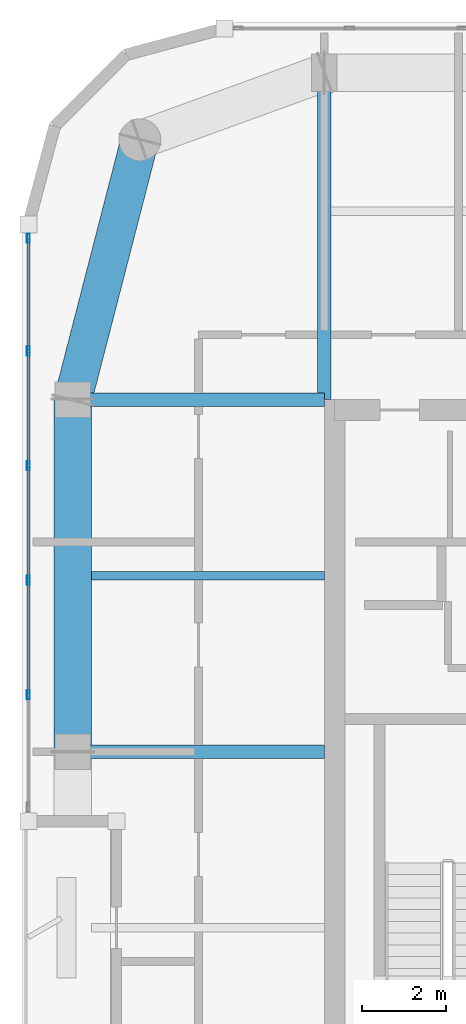
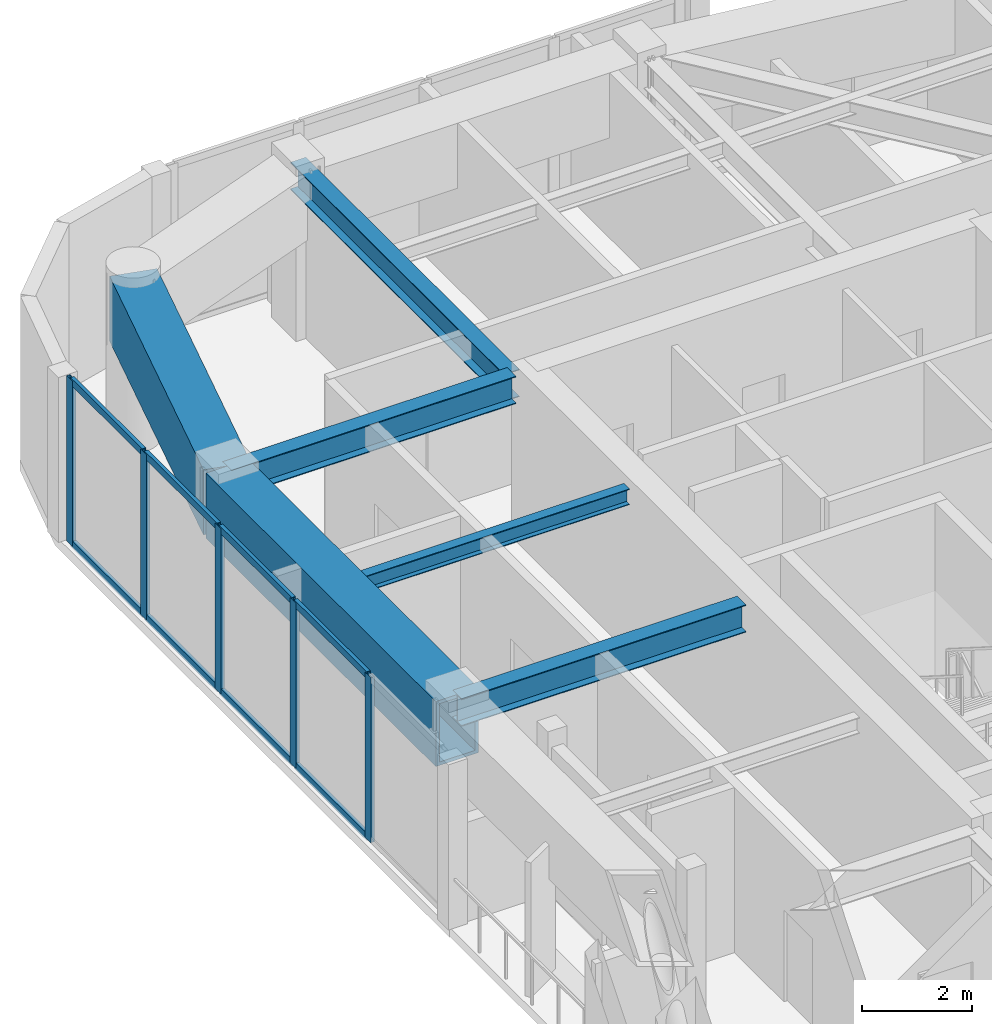
# One storey, part 4 of 16: 13 members, 6 beams, 1 element without a shape of its own.
"""IFC4 building model written with IfcOpenShell, lengths in metres."""

from ifc_helpers import new_model, si_unit, direction, frame, origin, origin_2d, place, context, subcontext, project, spatial, hollow_rectangle, i_section, extrude, material, layer, layer_set, material_profile, profile_set, type_object, element, aggregate, save


model = new_model("IFC4")

# Units and contexts
model_context = context("Model", 3, precision=1e-05, world=origin(), true_north=direction((0.0, 1.0)))
body_context = subcontext(model_context, "Body", "Model", "MODEL_VIEW")
ifc_project = project(units=[si_unit("LENGTHUNIT", "METRE"), si_unit("AREAUNIT", "SQUARE_METRE"), si_unit("VOLUMEUNIT", "CUBIC_METRE"), si_unit("PLANEANGLEUNIT", "RADIAN"), si_unit("MASSUNIT", "GRAM", prefix="KILO")], contexts=[model_context])

# Site, building, storey
site_placement = place(None, origin())
site = spatial("IfcSite", under=ifc_project, at=site_placement, CompositionType="ELEMENT")
building_placement = place(site_placement, origin())
building = spatial("IfcBuilding", under=site, at=building_placement, Name="Kiyonajd Concourse Tower", CompositionType="ELEMENT")
storey_placement = place(building_placement, frame((0.0, 0.0, 346.5)))
storey = spatial("IfcBuildingStorey", under=building, at=storey_placement, Name="L87", CompositionType="ELEMENT", Elevation=346.5)

# Beams
ifc_material_1 = material(Name="Steel ASTM A992 Grade 50", Category="steel")
ifc_material_profile_1 = material_profile(ifc_material_1, i_section(OverallWidth=0.205078125, OverallDepth=0.35400390625, WebThickness=0.009521484375, FlangeThickness=0.016845703125, at=origin_2d()), Name="W360X79")
ifc_profile_set_1 = profile_set([ifc_material_profile_1], Name="Steel ASTM A992 Grade 50")
beam_type_1 = type_object("IfcBeamType", Name="BM-JST-360", PredefinedType="JOIST", material=ifc_profile_set_1)
beam_1_placement = place(storey_placement, frame((26.85009765625, 40.199951171875, 3.5029296875), z_axis=(1.0, 0.0, 0.0), x_axis=(0.0, 1.0, 0.0)))
element("IfcBeam", 1, at=beam_1_placement, inside=storey, type_object=beam_type_1, Name="L87 West Secondary Floor Joist", PredefinedType="JOIST", context=body_context, shape_type="SweptSolid", body=[
    extrude(i_section(OverallWidth=0.205078125, OverallDepth=0.35400390625, WebThickness=0.009521484375, FlangeThickness=0.016845703125, at=origin_2d()), origin(), (0.0, 0.0, 1.0), 5.5498046875),
])
ifc_material_profile_2 = material_profile(ifc_material_1, i_section(OverallWidth=0.323974609375, OverallDepth=0.611083984375, WebThickness=0.0126953125, FlangeThickness=0.01904296875, at=origin_2d()), Name="W610X155")
ifc_profile_set_2 = profile_set([ifc_material_profile_2], Name="Steel ASTM A992 Grade 50")
beam_type_2 = type_object("IfcBeamType", Name="BM-TWR-610B", PredefinedType="BEAM", material=ifc_profile_set_2)
beam_2_placement = place(storey_placement, frame((32.39990234375, 44.39990234375, 3.37451171875), z_axis=(0.0, 1.0, 0.0), x_axis=(-1.0, 0.0, 0.0)))
element("IfcBeam", 2, at=beam_2_placement, inside=storey, type_object=beam_type_2, Name="L87 North Lease Girder", PredefinedType="BEAM", context=body_context, shape_type="SweptSolid", body=[
    extrude(i_section(OverallWidth=0.323974609375, OverallDepth=0.611083984375, WebThickness=0.0126953125, FlangeThickness=0.01904296875, at=origin_2d()), origin(), (0.0, 0.0, 1.0), 7.800048828125),
])
for number, where, z_axis, x_axis, name in (
    (3, (26.39990234375, 36.0, 3.37451171875), (1.0, 0.0, 0.0), (0.0, 1.0, 0.0), "L87 West Lease Girder"),
    (4, (26.39990234375, 44.39990234375, 3.37451171875), (1.0, 0.0, 0.0), (0.0, 1.0, 0.0), "L87 West Lease Girder"),
):
    element("IfcBeam", number, at=place(storey_placement, frame(where, z_axis=z_axis, x_axis=x_axis)), inside=storey, type_object=beam_type_2, Name=name, PredefinedType="BEAM", context=body_context, shape_type="SweptSolid", body=[
        extrude(i_section(OverallWidth=0.323974609375, OverallDepth=0.611083984375, WebThickness=0.0126953125, FlangeThickness=0.01904296875, at=origin_2d()), origin(), (0.0, 0.0, 1.0), 6.0),
    ])
ifc_material_2 = material(Name="Steel ASTM A572 Grade 50", Category="steel")
ifc_material_profile_3 = material_profile(ifc_material_2, hollow_rectangle(XDim=0.89990234375, YDim=1.449951171875, WallThickness=0.074951171875, at=origin_2d()), Name="BOX-1450x900x75")
ifc_profile_set_3 = profile_set([ifc_material_profile_3], Name="Steel ASTM A572 Grade 50")
beam_type_3 = type_object("IfcBeamType", Name="BM-XFER-1800", PredefinedType="BEAM", material=ifc_profile_set_3)
beam_3_placement = place(storey_placement, frame((28.0, 50.60009765625, 2.955078125), z_axis=(-0.249884937687, -0.968275538221, 0.0), x_axis=(0.968275538221, -0.249884937687, 0.0)))
element("IfcBeam", 5, at=beam_3_placement, inside=storey, type_object=beam_type_3, Name="L87 Perimeter Bundled Tube Spandrel", PredefinedType="BEAM", context=body_context, shape_type="SweptSolid", body=[
    extrude(hollow_rectangle(XDim=0.89990234375, YDim=1.449951171875, WallThickness=0.074951171875, at=origin_2d()), origin(), (0.0, 0.0, 1.0), 6.4033203125),
])
beam_4_placement = place(storey_placement, frame((26.39990234375, 44.39990234375, 2.955078125), z_axis=(0.0, -1.0, 0.0), x_axis=(1.0, 0.0, 0.0)))
element("IfcBeam", 6, at=beam_4_placement, inside=storey, type_object=beam_type_3, Name="L87 Perimeter Bundled Tube Spandrel", PredefinedType="BEAM", context=body_context, shape_type="SweptSolid", body=[
    extrude(hollow_rectangle(XDim=0.89990234375, YDim=1.449951171875, WallThickness=0.074951171875, at=origin_2d()), origin(), (0.0, 0.0, 1.0), 8.39990234375),
])

# Curtain wall, members
ifc_material_3 = material(Name="Thermally Broken Anodised Aluminium", Category="aluminium")
ifc_layer = layer(ifc_material_3, 0.179931640625)
ifc_layer_set = layer_set([ifc_layer], Name="Thermally Broken Anodised Aluminium")
curtain_wall_type = type_object("IfcCurtainWallType", Name="CW-SYS-06", PredefinedType="NOTDEFINED", material=ifc_layer_set)
curtain_wall_placement = place(storey_placement, origin())
curtain_wall = element("IfcCurtainWall", 7, at=curtain_wall_placement, inside=storey, type_object=curtain_wall_type, Name="L87 Unitised Curtain Wall CW6", PredefinedType="NOTDEFINED")
ifc_material_profile_4 = material_profile(ifc_material_3, hollow_rectangle(XDim=0.074951171875, YDim=0.219970703125, WallThickness=0.0048828125, at=origin_2d()), Name="MULL-75x220")
ifc_profile_set_4 = profile_set([ifc_material_profile_4], Name="Thermally Broken Anodised Aluminium")
member_type_1 = type_object("IfcMemberType", Name="MB-CW-MULL2", PredefinedType="MULLION", material=ifc_profile_set_4)
member_1_placement = place(storey_placement, frame((25.340087890625, 37.3623046875, 0.0), z_axis=(0.0, 0.0, 1.0), x_axis=(-1.0, 0.0, 0.0)))
member_1 = element("IfcMember", 8, at=member_1_placement, type_object=member_type_1, Name="CW6 mullion 2", PredefinedType="MULLION", context=body_context, shape_type="SweptSolid", body=[
    extrude(hollow_rectangle(XDim=0.074951171875, YDim=0.219970703125, WallThickness=0.0048828125, at=origin_2d()), origin(), (0.0, 0.0, 1.0), 3.679931640625),
])
member_2_placement = place(storey_placement, frame((25.340087890625, 40.0947265625, 0.0), z_axis=(0.0, 0.0, 1.0), x_axis=(-1.0, 0.0, 0.0)))
member_2 = element("IfcMember", 9, at=member_2_placement, type_object=member_type_1, Name="CW6 mullion 3", PredefinedType="MULLION", context=body_context, shape_type="SweptSolid", body=[
    extrude(hollow_rectangle(XDim=0.074951171875, YDim=0.219970703125, WallThickness=0.0048828125, at=origin_2d()), origin(), (0.0, 0.0, 1.0), 3.679931640625),
])
member_3_placement = place(storey_placement, frame((25.340087890625, 42.826904296875, 0.0), z_axis=(0.0, 0.0, 1.0), x_axis=(-1.0, 0.0, 0.0)))
member_3 = element("IfcMember", 10, at=member_3_placement, type_object=member_type_1, Name="CW6 mullion 4", PredefinedType="MULLION", context=body_context, shape_type="SweptSolid", body=[
    extrude(hollow_rectangle(XDim=0.074951171875, YDim=0.219970703125, WallThickness=0.0048828125, at=origin_2d()), origin(), (0.0, 0.0, 1.0), 3.679931640625),
])
member_4_placement = place(storey_placement, frame((25.340087890625, 45.559326171875, 0.0), z_axis=(0.0, 0.0, 1.0), x_axis=(-1.0, 0.0, 0.0)))
member_4 = element("IfcMember", 11, at=member_4_placement, type_object=member_type_1, Name="CW6 mullion 5", PredefinedType="MULLION", context=body_context, shape_type="SweptSolid", body=[
    extrude(hollow_rectangle(XDim=0.074951171875, YDim=0.219970703125, WallThickness=0.0048828125, at=origin_2d()), origin(), (0.0, 0.0, 1.0), 3.679931640625),
])
member_5_placement = place(storey_placement, frame((25.340087890625, 48.254150390625, 0.0), z_axis=(0.0, 0.0, 1.0), x_axis=(-1.0, 0.0, 0.0)))
member_5 = element("IfcMember", 12, at=member_5_placement, type_object=member_type_1, Name="CW6 mullion 6", PredefinedType="MULLION", context=body_context, shape_type="SweptSolid", body=[
    extrude(hollow_rectangle(XDim=0.074951171875, YDim=0.219970703125, WallThickness=0.0048828125, at=origin_2d()), origin(), (0.0, 0.0, 1.0), 3.679931640625),
])
ifc_material_profile_5 = material_profile(ifc_material_3, hollow_rectangle(XDim=0.074951171875, YDim=0.159912109375, WallThickness=0.0048828125, at=origin_2d()), Name="TRAN-75x160")
ifc_profile_set_5 = profile_set([ifc_material_profile_5], Name="Thermally Broken Anodised Aluminium")
member_type_2 = type_object("IfcMemberType", Name="MB-CW-TRAN2", PredefinedType="USERDEFINED", material=ifc_profile_set_5)
member_6_placement = place(storey_placement, frame((25.340087890625, 37.39990234375, 0.03759765625), z_axis=(0.0, 1.0, 0.0), x_axis=(-1.0, 0.0, 0.0)))
member_6 = element("IfcMember", 13, at=member_6_placement, type_object=member_type_2, Name="CW6 transom 2.1", ObjectType="TRANSOM", PredefinedType="USERDEFINED", context=body_context, shape_type="SweptSolid", body=[
    extrude(hollow_rectangle(XDim=0.074951171875, YDim=0.159912109375, WallThickness=0.0048828125, at=origin_2d()), origin(), (0.0, 0.0, 1.0), 2.6572265625),
])
member_7_placement = place(storey_placement, frame((25.340087890625, 37.39990234375, 3.642578125), z_axis=(0.0, 1.0, 0.0), x_axis=(-1.0, 0.0, 0.0)))
member_7 = element("IfcMember", 14, at=member_7_placement, type_object=member_type_2, Name="CW6 transom 2.2", ObjectType="TRANSOM", PredefinedType="USERDEFINED", context=body_context, shape_type="SweptSolid", body=[
    extrude(hollow_rectangle(XDim=0.074951171875, YDim=0.159912109375, WallThickness=0.0048828125, at=origin_2d()), origin(), (0.0, 0.0, 1.0), 2.6572265625),
])
member_8_placement = place(storey_placement, frame((25.340087890625, 40.132080078125, 0.03759765625), z_axis=(0.0, 1.0, 0.0), x_axis=(-1.0, 0.0, 0.0)))
member_8 = element("IfcMember", 15, at=member_8_placement, type_object=member_type_2, Name="CW6 transom 3.1", ObjectType="TRANSOM", PredefinedType="USERDEFINED", context=body_context, shape_type="SweptSolid", body=[
    extrude(hollow_rectangle(XDim=0.074951171875, YDim=0.159912109375, WallThickness=0.0048828125, at=origin_2d()), origin(), (0.0, 0.0, 1.0), 2.657470703125),
])
member_9_placement = place(storey_placement, frame((25.340087890625, 40.132080078125, 3.642578125), z_axis=(0.0, 1.0, 0.0), x_axis=(-1.0, 0.0, 0.0)))
member_9 = element("IfcMember", 16, at=member_9_placement, type_object=member_type_2, Name="CW6 transom 3.2", ObjectType="TRANSOM", PredefinedType="USERDEFINED", context=body_context, shape_type="SweptSolid", body=[
    extrude(hollow_rectangle(XDim=0.074951171875, YDim=0.159912109375, WallThickness=0.0048828125, at=origin_2d()), origin(), (0.0, 0.0, 1.0), 2.657470703125),
])
member_10_placement = place(storey_placement, frame((25.340087890625, 42.864501953125, 0.03759765625), z_axis=(0.0, 1.0, 0.0), x_axis=(-1.0, 0.0, 0.0)))
member_10 = element("IfcMember", 17, at=member_10_placement, type_object=member_type_2, Name="CW6 transom 4.1", ObjectType="TRANSOM", PredefinedType="USERDEFINED", context=body_context, shape_type="SweptSolid", body=[
    extrude(hollow_rectangle(XDim=0.074951171875, YDim=0.159912109375, WallThickness=0.0048828125, at=origin_2d()), origin(), (0.0, 0.0, 1.0), 2.6572265625),
])
member_11_placement = place(storey_placement, frame((25.340087890625, 42.864501953125, 3.642578125), z_axis=(0.0, 1.0, 0.0), x_axis=(-1.0, 0.0, 0.0)))
member_11 = element("IfcMember", 18, at=member_11_placement, type_object=member_type_2, Name="CW6 transom 4.2", ObjectType="TRANSOM", PredefinedType="USERDEFINED", context=body_context, shape_type="SweptSolid", body=[
    extrude(hollow_rectangle(XDim=0.074951171875, YDim=0.159912109375, WallThickness=0.0048828125, at=origin_2d()), origin(), (0.0, 0.0, 1.0), 2.6572265625),
])
member_12_placement = place(storey_placement, frame((25.340087890625, 45.5966796875, 0.03759765625), z_axis=(0.0, 1.0, 0.0), x_axis=(-1.0, 0.0, 0.0)))
member_12 = element("IfcMember", 19, at=member_12_placement, type_object=member_type_2, Name="CW6 transom 5.1", ObjectType="TRANSOM", PredefinedType="USERDEFINED", context=body_context, shape_type="SweptSolid", body=[
    extrude(hollow_rectangle(XDim=0.074951171875, YDim=0.159912109375, WallThickness=0.0048828125, at=origin_2d()), origin(), (0.0, 0.0, 1.0), 2.619873046875),
])
member_13_placement = place(storey_placement, frame((25.340087890625, 45.5966796875, 3.642578125), z_axis=(0.0, 1.0, 0.0), x_axis=(-1.0, 0.0, 0.0)))
member_13 = element("IfcMember", 20, at=member_13_placement, type_object=member_type_2, Name="CW6 transom 5.2", ObjectType="TRANSOM", PredefinedType="USERDEFINED", context=body_context, shape_type="SweptSolid", body=[
    extrude(hollow_rectangle(XDim=0.074951171875, YDim=0.159912109375, WallThickness=0.0048828125, at=origin_2d()), origin(), (0.0, 0.0, 1.0), 2.619873046875),
])
aggregate(curtain_wall, [member_1, member_2, member_3, member_4, member_5, member_6, member_7, member_8, member_9, member_10, member_11, member_12, member_13])

save(model, "model.ifc")
